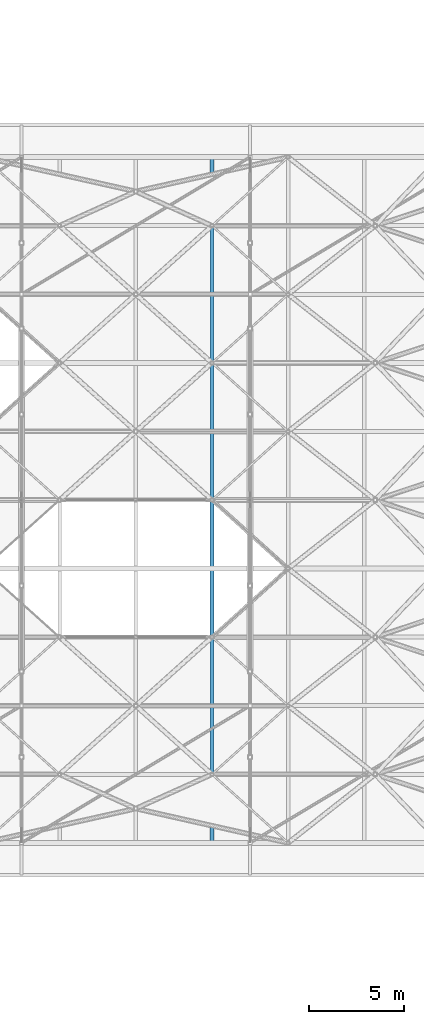
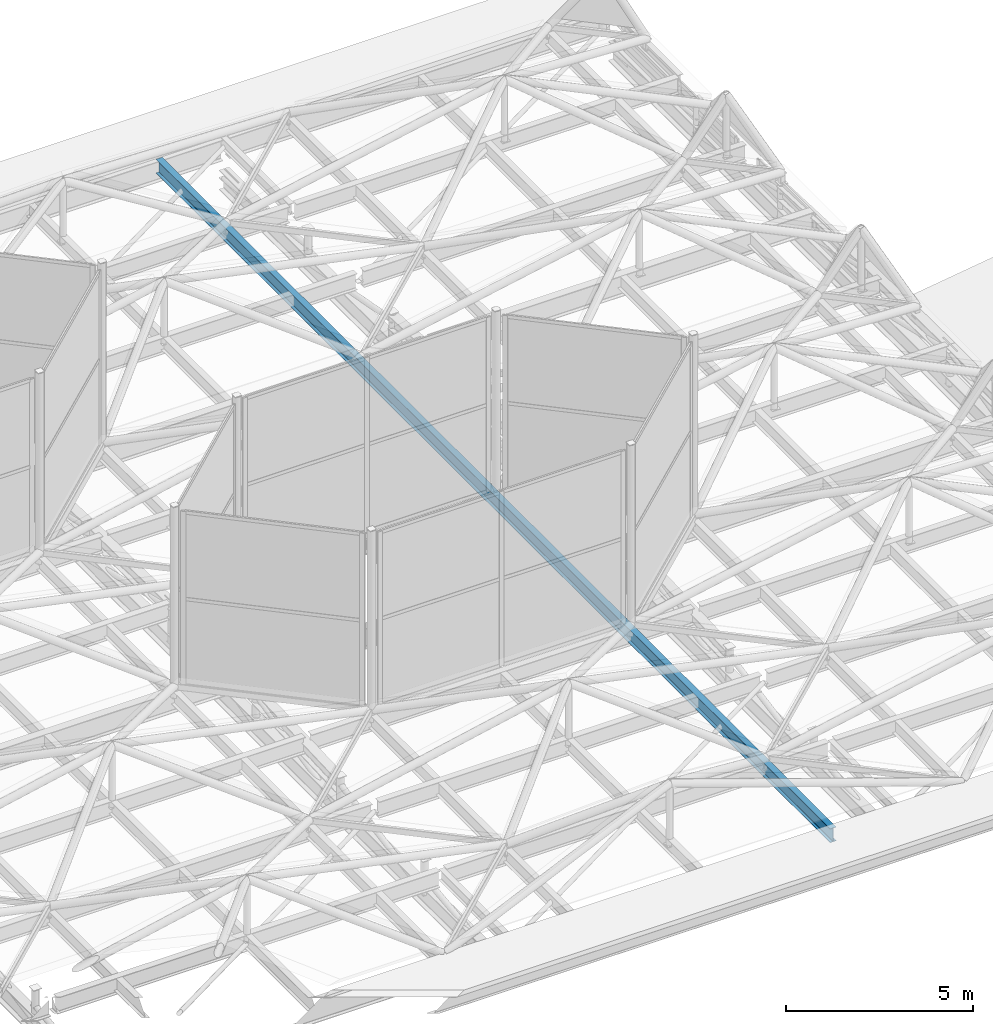
# One storey, part 130 of 239: 1 beam.
"""IFC4 building model written with IfcOpenShell, lengths in metres."""

from ifc_helpers import new_model, si_unit, direction, frame, origin, origin_2d, place, context, subcontext, project, spatial, i_section, extrude, material, material_profile, profile_set, type_object, element, save


model = new_model("IFC4")

# Units and contexts
model_context = context("Model", 3, precision=1e-05, world=origin(), true_north=direction((0.0, 1.0)))
body_context = subcontext(model_context, "Body", "Model", "MODEL_VIEW")
ifc_project = project(units=[si_unit("LENGTHUNIT", "METRE"), si_unit("AREAUNIT", "SQUARE_METRE"), si_unit("VOLUMEUNIT", "CUBIC_METRE"), si_unit("PLANEANGLEUNIT", "RADIAN"), si_unit("MASSUNIT", "GRAM", prefix="KILO")], contexts=[model_context])

# Site, building, storey
site_placement = place(None, origin())
site = spatial("IfcSite", under=ifc_project, at=site_placement, CompositionType="ELEMENT")
building_placement = place(site_placement, origin())
building = spatial("IfcBuilding", under=site, at=building_placement, Name="Dunvalen Ferry Terminal", CompositionType="ELEMENT")
storey_placement = place(building_placement, frame((0.0, 0.0, 9.840087890625)))
storey = spatial("IfcBuildingStorey", under=building, at=storey_placement, Name="L02", CompositionType="ELEMENT", Elevation=9.840087890625)

# Beam
ifc_material = material(Name="Steel S355", Category="steel")
ifc_material_profile = material_profile(ifc_material, i_section(OverallWidth=0.1904296875, OverallDepth=0.45703125, WebThickness=0.009033203125, FlangeThickness=0.014404296875, FilletRadius=0.01025390625, at=origin_2d()), Name="Steel S355")
ifc_profile_set = profile_set([ifc_material_profile], Name="Steel S355")
beam_type = type_object("IfcBeamType", Name="STR-BM-UKB457", PredefinedType="BEAM", material=ifc_profile_set)
beam_placement = place(storey_placement, frame((82.0, 50.39990234375, 0.771484375), z_axis=(0.0, 1.0, 0.0), x_axis=(-1.0, 0.0, 0.0)))
element("IfcBeam", 1, at=beam_placement, inside=storey, type_object=beam_type, Name="Departure Hall Hex-Grid Cross Beam B6.3", PredefinedType="BEAM", context=body_context, shape_type="SweptSolid", body=[
    extrude(i_section(OverallWidth=0.1904296875, OverallDepth=0.45703125, WebThickness=0.009033203125, FlangeThickness=0.014404296875, FilletRadius=0.01025390625, at=origin_2d()), origin(), (0.0, 0.0, 1.0), 36.0),
])

save(model, "model.ifc")
